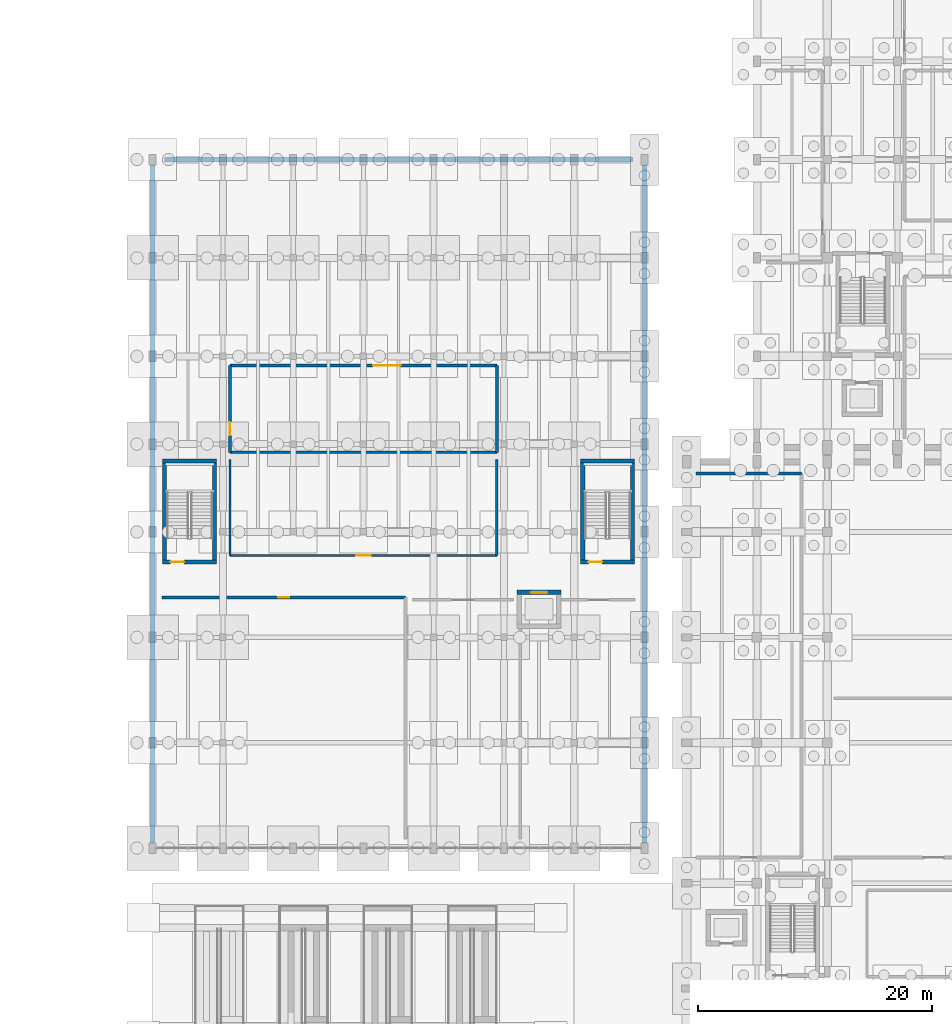
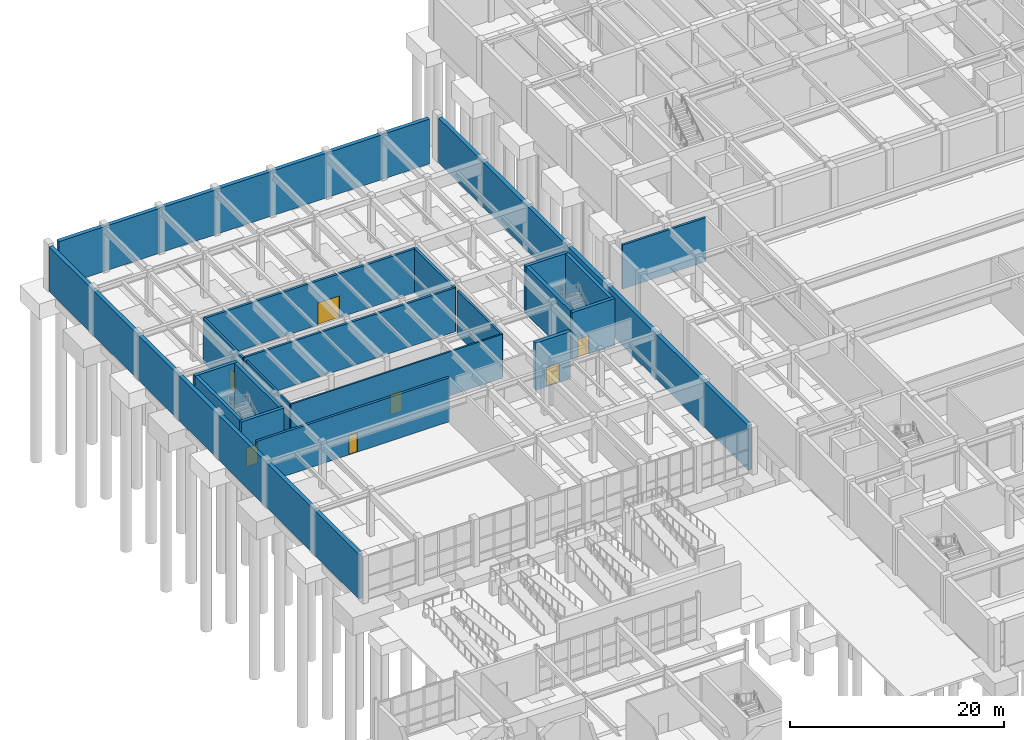
# One storey, part 51 of 69: 21 walls, 7 doors, 7 openings.
"""IFC4 building model written with IfcOpenShell, lengths in metres."""

from ifc_helpers import new_model, si_unit, direction, frame, frame_2d, origin, place, context, subcontext, project, spatial, rectangle, extrude, material, layer, layer_set, type_object, element, fill, save


model = new_model("IFC4")

# Units and contexts
model_context = context("Model", 3, precision=1e-05, world=origin(), true_north=direction((0.0, 1.0)))
body_context = subcontext(model_context, "Body", "Model", "MODEL_VIEW")
ifc_project = project(units=[si_unit("LENGTHUNIT", "METRE"), si_unit("AREAUNIT", "SQUARE_METRE"), si_unit("VOLUMEUNIT", "CUBIC_METRE"), si_unit("PLANEANGLEUNIT", "RADIAN"), si_unit("MASSUNIT", "GRAM", prefix="KILO")], contexts=[model_context])

# Site, building, storey
site_placement = place(None, origin())
site = spatial("IfcSite", under=ifc_project, at=site_placement, CompositionType="ELEMENT")
building_placement = place(site_placement, origin())
building = spatial("IfcBuilding", under=site, at=building_placement, Name="Vaelkrest Opera House", CompositionType="ELEMENT")
storey_placement = place(building_placement, frame((0.0, 0.0, -5.39990234375)))
storey = spatial("IfcBuildingStorey", under=building, at=storey_placement, Name="B1", CompositionType="ELEMENT", Elevation=-5.39990234375)

# Wall, opening, door
ifc_material_1 = material(Name="Gypsum acoustic board", Category="gypsum")
ifc_layer_1 = layer(ifc_material_1, 0.179931640625)
ifc_layer_set_1 = layer_set([ifc_layer_1], Name="Gypsum acoustic board")
wall_type_1 = type_object("IfcWallType", Name="PT05", PredefinedType="PARTITIONING", material=ifc_layer_set_1)
wall_1_placement = place(storey_placement, frame((-69.0, 8.199951171875, 0.0), z_axis=(0.0, 0.0, 1.0), x_axis=(1.0, 0.0, 0.0)))
wall_1 = element("IfcWall", 1, at=wall_1_placement, inside=storey, type_object=wall_type_1, Name="Interior partition PT-V3-B1-0271", PredefinedType="PARTITIONING", context=body_context, shape_type="SweptSolid", body=[
    extrude(rectangle(XDim=22.800048828125, YDim=0.179931640625, at=frame_2d((11.39990234375, 0.0))), origin(), (0.0, 0.0, 1.0), 5.02001953125),
])
opening_1_placement = place(wall_1_placement, frame((10.7900390625, 0.0, 0.0)))
opening_1 = element("IfcOpeningElement", 2, at=opening_1_placement, cuts=wall_1, Name="Opening D105", PredefinedType="OPENING", context=body_context, shape_type="SweptSolid", body=[
    extrude(rectangle(XDim=1.219970703125, YDim=2.300048828125, at=frame_2d((0.60986328125, 1.14990234375))), frame((0.0, 0.099853515625, 0.0), z_axis=(0.0, -1.0, 0.0), x_axis=(1.0, 0.0, 0.0)), (0.0, 0.0, 1.0), 0.199951171875),
])
ifc_material_2 = material(Name="American black walnut acoustic timber", Category="wood")
door_type_1 = type_object("IfcDoorType", Name="DT24", OperationType="NOTDEFINED", PredefinedType="DOOR", material=ifc_material_2)
door_1_placement = place(opening_1_placement, origin())
door_1 = element("IfcDoor", 3, at=door_1_placement, inside=storey, type_object=door_type_1, Name="Interior door D105 (Cloakroom)", OperationType="SINGLE_SWING_LEFT", OverallHeight=2.300048828125, OverallWidth=1.219970703125, PredefinedType="DOOR", context=body_context, shape_type="SweptSolid", body=[
    extrude(rectangle(XDim=1.219970703125, YDim=2.300048828125, at=frame_2d((0.60986328125, 1.14990234375))), frame((0.0, 0.02490234375, 0.0), z_axis=(0.0, -1.0, 0.0), x_axis=(1.0, 0.0, 0.0)), (0.0, 0.0, 1.0), 0.050048828125),
])
fill(opening_1, door_1)

# Walls
ifc_layer_2 = layer(ifc_material_1, 0.195068359375)
ifc_layer_set_2 = layer_set([ifc_layer_2], Name="Gypsum acoustic board")
wall_type_2 = type_object("IfcWallType", Name="PT06", PredefinedType="PARTITIONING", material=ifc_layer_set_2)
wall_2_placement = place(storey_placement, frame((-69.0, 8.199951171875, 0.0), z_axis=(0.0, 0.0, 1.0), x_axis=(0.0, 1.0, 0.0)))
element("IfcWall", 4, at=wall_2_placement, inside=storey, type_object=wall_type_2, Name="Interior partition PT-V3-B1-0272", PredefinedType="PARTITIONING", context=body_context, shape_type="SweptSolid", body=[
    extrude(rectangle(XDim=8.199951171875, YDim=0.195068359375, at=frame_2d((4.10009765625, 0.0))), origin(), (0.0, 0.0, 1.0), 5.02001953125),
])
ifc_layer_3 = layer(ifc_material_2, 0.2099609375)
ifc_layer_set_3 = layer_set([ifc_layer_3], Name="American black walnut acoustic timber")
wall_type_3 = type_object("IfcWallType", Name="PT07", PredefinedType="PARTITIONING", material=ifc_layer_set_3)
wall_3_placement = place(storey_placement, frame((-46.199951171875, 8.199951171875, 0.0), z_axis=(0.0, 0.0, 1.0), x_axis=(0.0, 1.0, 0.0)))
element("IfcWall", 5, at=wall_3_placement, inside=storey, type_object=wall_type_3, Name="Interior partition PT-V3-B1-0273", PredefinedType="PARTITIONING", context=body_context, shape_type="SweptSolid", body=[
    extrude(rectangle(XDim=8.199951171875, YDim=0.2099609375, at=frame_2d((4.10009765625, 0.0))), origin(), (0.0, 0.0, 1.0), 5.02001953125),
])
ifc_material_3 = material(Name="Concrete C40/50", Category="concrete")
ifc_layer_4 = layer(ifc_material_3, 0.239990234375)
ifc_layer_set_4 = layer_set([ifc_layer_4], Name="Concrete C40/50")
wall_type_4 = type_object("IfcWallType", Name="PT09", PredefinedType="PARTITIONING", material=ifc_layer_set_4)
wall_4_placement = place(storey_placement, frame((-29.199951171875, 15.199951171875, 0.0), z_axis=(0.0, 0.0, 1.0), x_axis=(1.0, 0.0, 0.0)))
element("IfcWall", 6, at=wall_4_placement, inside=storey, type_object=wall_type_4, Name="Interior partition PT-V1-B1-0021", PredefinedType="PARTITIONING", context=body_context, shape_type="SweptSolid", body=[
    extrude(rectangle(XDim=9.0, YDim=0.239990234375, at=frame_2d((4.5, 0.0))), origin(), (0.0, 0.0, 1.0), 5.02001953125),
])
wall_5_placement = place(storey_placement, frame((-69.0, 17.0, 0.0), z_axis=(0.0, 0.0, 1.0), x_axis=(1.0, 0.0, 0.0)))
element("IfcWall", 7, at=wall_5_placement, inside=storey, type_object=wall_type_4, Name="Interior partition PT-V3-B1-0267", PredefinedType="PARTITIONING", context=body_context, shape_type="SweptSolid", body=[
    extrude(rectangle(XDim=22.800048828125, YDim=0.239990234375, at=frame_2d((11.39990234375, 0.0))), origin(), (0.0, 0.0, 1.0), 5.02001953125),
])

# Wall, opening, door
wall_6_placement = place(storey_placement, frame((-69.0, 17.0, 0.0), z_axis=(0.0, 0.0, 1.0), x_axis=(0.0, 1.0, 0.0)))
wall_6 = element("IfcWall", 8, at=wall_6_placement, inside=storey, type_object=wall_type_4, Name="Interior partition PT-V3-B1-0269", PredefinedType="PARTITIONING", context=body_context, shape_type="SweptSolid", body=[
    extrude(rectangle(XDim=7.39990234375, YDim=0.239990234375, at=frame_2d((3.699951171875, 0.0))), origin(), (0.0, 0.0, 1.0), 5.02001953125),
])
opening_2_placement = place(wall_6_placement, frame((1.449951171875, 0.0, 0.0)))
opening_2 = element("IfcOpeningElement", 9, at=opening_2_placement, cuts=wall_6, Name="Opening D104", PredefinedType="OPENING", context=body_context, shape_type="SweptSolid", body=[
    extrude(rectangle(XDim=1.1201171875, YDim=2.25, at=frame_2d((0.56005859375, 1.125))), frame((0.0, 0.1298828125, 0.0), z_axis=(0.0, -1.0, 0.0), x_axis=(1.0, 0.0, 0.0)), (0.0, 0.0, 1.0), 0.260009765625),
])
door_type_2 = type_object("IfcDoorType", Name="DT23", OperationType="NOTDEFINED", PredefinedType="DOOR", material=ifc_material_2)
door_2_placement = place(opening_2_placement, origin())
door_2 = element("IfcDoor", 10, at=door_2_placement, inside=storey, type_object=door_type_2, Name="Interior door D104 (MEP Plant Room)", OperationType="SINGLE_SWING_RIGHT", OverallHeight=2.25, OverallWidth=1.1201171875, PredefinedType="DOOR", context=body_context, shape_type="SweptSolid", body=[
    extrude(rectangle(XDim=1.1201171875, YDim=2.25, at=frame_2d((0.56005859375, 1.125))), frame((0.0, 0.02490234375, 0.0), z_axis=(0.0, -1.0, 0.0), x_axis=(1.0, 0.0, 0.0)), (0.0, 0.0, 1.0), 0.050048828125),
])
fill(opening_2, door_2)

ifc_layer_5 = layer(ifc_material_3, 0.260009765625)
ifc_layer_set_5 = layer_set([ifc_layer_5], Name="Concrete C40/50")
wall_type_5 = type_object("IfcWallType", Name="PT10", PredefinedType="PARTITIONING", material=ifc_layer_set_5)
wall_7_placement = place(storey_placement, frame((-74.800048828125, 4.60009765625, 0.0), z_axis=(0.0, 0.0, 1.0), x_axis=(1.0, 0.0, 0.0)))
wall_7 = element("IfcWall", 11, at=wall_7_placement, inside=storey, type_object=wall_type_5, Name="Interior partition PT-V3-B1-0264", PredefinedType="PARTITIONING", context=body_context, shape_type="SweptSolid", body=[
    extrude(rectangle(XDim=20.800048828125, YDim=0.260009765625, at=frame_2d((10.39990234375, 0.0))), origin(), (0.0, 0.0, 1.0), 5.02001953125),
])
opening_3_placement = place(wall_7_placement, frame((9.919921875, 0.0, 0.0)))
opening_3 = element("IfcOpeningElement", 12, at=opening_3_placement, cuts=wall_7, Name="Opening D102", PredefinedType="OPENING", context=body_context, shape_type="SweptSolid", body=[
    extrude(rectangle(XDim=0.9599609375, YDim=2.199951171875, at=frame_2d((0.47998046875, 1.10009765625))), frame((0.0, 0.139892578125, 0.0), z_axis=(0.0, -1.0, 0.0), x_axis=(1.0, 0.0, 0.0)), (0.0, 0.0, 1.0), 0.280029296875),
])
door_type_3 = type_object("IfcDoorType", Name="DT21", OperationType="NOTDEFINED", PredefinedType="DOOR", material=ifc_material_2)
door_3_placement = place(opening_3_placement, origin())
door_3 = element("IfcDoor", 13, at=door_3_placement, inside=storey, type_object=door_type_3, Name="Interior door D102 (Instrument Store)", OperationType="SINGLE_SWING_LEFT", OverallHeight=2.199951171875, OverallWidth=0.9599609375, PredefinedType="DOOR", context=body_context, shape_type="SweptSolid", body=[
    extrude(rectangle(XDim=0.9599609375, YDim=2.199951171875, at=frame_2d((0.47998046875, 1.10009765625))), frame((0.0, 0.02490234375, 0.0), z_axis=(0.0, -1.0, 0.0), x_axis=(1.0, 0.0, 0.0)), (0.0, 0.0, 1.0), 0.050048828125),
])
fill(opening_3, door_3)

wall_8_placement = place(storey_placement, frame((-69.0, 24.39990234375, 0.0), z_axis=(0.0, 0.0, 1.0), x_axis=(1.0, 0.0, 0.0)))
wall_8 = element("IfcWall", 14, at=wall_8_placement, inside=storey, type_object=wall_type_5, Name="Interior partition PT-V3-B1-0268", PredefinedType="PARTITIONING", context=body_context, shape_type="SweptSolid", body=[
    extrude(rectangle(XDim=22.800048828125, YDim=0.260009765625, at=frame_2d((11.39990234375, 0.0))), origin(), (0.0, 0.0, 1.0), 5.02001953125),
])
opening_4_placement = place(wall_8_placement, frame((12.22509765625, 0.0, 0.0)))
opening_4 = element("IfcOpeningElement", 15, at=opening_4_placement, cuts=wall_8, Name="Opening D106", PredefinedType="OPENING", context=body_context, shape_type="SweptSolid", body=[
    extrude(rectangle(XDim=2.35009765625, YDim=2.5, at=frame_2d((1.175048828125, 1.25))), frame((0.0, 0.139892578125, 0.0), z_axis=(0.0, -1.0, 0.0), x_axis=(1.0, 0.0, 0.0)), (0.0, 0.0, 1.0), 0.280029296875),
])
door_type_4 = type_object("IfcDoorType", Name="DT18", OperationType="DOUBLE_DOOR_SINGLE_SWING", PredefinedType="DOOR", material=ifc_material_2)
door_4_placement = place(opening_4_placement, origin())
door_4 = element("IfcDoor", 16, at=door_4_placement, inside=storey, type_object=door_type_4, Name="Interior door D106 (Orchestra Rehearsal Stage)", OperationType="DOUBLE_DOOR_SINGLE_SWING", OverallHeight=2.5, OverallWidth=2.35009765625, PredefinedType="DOOR", context=body_context, shape_type="SweptSolid", body=[
    extrude(rectangle(XDim=2.35009765625, YDim=2.5, at=frame_2d((1.175048828125, 1.25))), frame((0.0, 0.02490234375, 0.0), z_axis=(0.0, -1.0, 0.0), x_axis=(1.0, 0.0, 0.0)), (0.0, 0.0, 1.0), 0.050048828125),
])
fill(opening_4, door_4)

# Walls
wall_9_placement = place(storey_placement, frame((-46.199951171875, 17.0, 0.0), z_axis=(0.0, 0.0, 1.0), x_axis=(0.0, 1.0, 0.0)))
element("IfcWall", 17, at=wall_9_placement, inside=storey, type_object=wall_type_5, Name="Interior partition PT-V3-B1-0270", PredefinedType="PARTITIONING", context=body_context, shape_type="SweptSolid", body=[
    extrude(rectangle(XDim=7.39990234375, YDim=0.260009765625, at=frame_2d((3.699951171875, 0.0))), origin(), (0.0, 0.0, 1.0), 5.02001953125),
])
ifc_layer_6 = layer(ifc_material_3, 0.419921875)
ifc_layer_set_6 = layer_set([ifc_layer_6], Name="Concrete C40/50")
wall_type_6 = type_object("IfcWallType", Name="RW01", PredefinedType="USERDEFINED", material=ifc_layer_set_6)
for number, where, z_axis, x_axis, name in (
    (18, (-75.60009765625, -16.35009765625, 0.0), (0.0, 0.0, 1.0), (0.0, 1.0, 0.0), "Retaining wall RW-V3-W"),
    (19, (-33.60009765625, -16.35009765625, 0.0), (0.0, 0.0, 1.0), (0.0, 1.0, 0.0), "Retaining wall RW-V3-E"),
):
    element("IfcWall", number, at=place(storey_placement, frame(where, z_axis=z_axis, x_axis=x_axis)), inside=storey, type_object=wall_type_6, Name=name, ObjectType="RETAINING WALL", PredefinedType="USERDEFINED", context=body_context, shape_type="SweptSolid", body=[
        extrude(rectangle(XDim=57.900146484375, YDim=0.419921875, at=frame_2d((28.9501953125, 0.0))), origin(), (0.0, 0.0, 1.0), 5.10986328125),
    ])
wall_10_placement = place(storey_placement, frame((-74.60009765625, 42.0, 0.0), z_axis=(0.0, 0.0, 1.0), x_axis=(1.0, 0.0, 0.0)))
element("IfcWall", 20, at=wall_10_placement, inside=storey, type_object=wall_type_6, Name="Retaining wall RW-V3-N", ObjectType="RETAINING WALL", PredefinedType="USERDEFINED", context=body_context, shape_type="SweptSolid", body=[
    extrude(rectangle(XDim=40.0, YDim=0.419921875, at=frame_2d((20.0, 0.0))), origin(), (0.0, 0.0, 1.0), 5.10986328125),
])

# Wall, opening, door
ifc_material_4 = material(Name="Concrete C50/60", Category="concrete")
ifc_layer_7 = layer(ifc_material_4, 0.35009765625)
ifc_layer_set_7 = layer_set([ifc_layer_7], Name="Concrete C50/60")
wall_type_7 = type_object("IfcWallType", Name="SW01", PredefinedType="SHEAR", material=ifc_layer_set_7)
wall_11_placement = place(storey_placement, frame((-70.14990234375, 7.625, 0.0), z_axis=(0.0, 0.0, 1.0), x_axis=(-1.0, 0.0, 0.0)))
wall_11 = element("IfcWall", 21, at=wall_11_placement, inside=storey, type_object=wall_type_7, Name="Stair core ST07 wall B1 S", PredefinedType="SHEAR", context=body_context, shape_type="SweptSolid", body=[
    extrude(rectangle(XDim=4.60009765625, YDim=0.35009765625, at=frame_2d((2.300048828125, 0.0))), origin(), (0.0, 0.0, 1.0), 5.39990234375),
])
opening_5_placement = place(wall_11_placement, frame((2.77001953125, 0.0, 0.0)))
opening_5 = element("IfcOpeningElement", 22, at=opening_5_placement, cuts=wall_11, Name="Opening SD-ST07-B1", PredefinedType="OPENING", context=body_context, shape_type="SweptSolid", body=[
    extrude(rectangle(XDim=1.179931640625, YDim=2.14990234375, at=frame_2d((0.58984375, 1.074951171875))), frame((0.0, 0.18505859375, 0.0), z_axis=(0.0, -1.0, 0.0), x_axis=(1.0, 0.0, 0.0)), (0.0, 0.0, 1.0), 0.3701171875),
])
door_type_5 = type_object("IfcDoorType", Name="DT07", OperationType="NOTDEFINED", PredefinedType="DOOR", material=ifc_material_2)
door_5_placement = place(opening_5_placement, origin())
door_5 = element("IfcDoor", 23, at=door_5_placement, inside=storey, type_object=door_type_5, Name="Protected stair door SD-ST07-B1", OperationType="SINGLE_SWING_RIGHT", OverallHeight=2.14990234375, OverallWidth=1.179931640625, PredefinedType="DOOR", context=body_context, shape_type="SweptSolid", body=[
    extrude(rectangle(XDim=1.179931640625, YDim=2.14990234375, at=frame_2d((0.58984375, 1.074951171875))), frame((0.0, 0.02490234375, 0.0), z_axis=(0.0, -1.0, 0.0), x_axis=(1.0, 0.0, 0.0)), (0.0, 0.0, 1.0), 0.050048828125),
])
fill(opening_5, door_5)

# Walls
wall_12_placement = place(storey_placement, frame((-74.574951171875, 7.800048828125, 0.0), z_axis=(0.0, 0.0, 1.0), x_axis=(0.0, 1.0, 0.0)))
element("IfcWall", 24, at=wall_12_placement, inside=storey, type_object=wall_type_7, Name="Stair core ST07 wall B1 W", PredefinedType="SHEAR", context=body_context, shape_type="SweptSolid", body=[
    extrude(rectangle(XDim=8.300048828125, YDim=0.35009765625, at=frame_2d((4.14990234375, 0.0))), origin(), (0.0, 0.0, 1.0), 5.39990234375),
])
wall_13_placement = place(storey_placement, frame((-74.75, 16.27490234375, 0.0), z_axis=(0.0, 0.0, 1.0), x_axis=(1.0, 0.0, 0.0)))
element("IfcWall", 25, at=wall_13_placement, inside=storey, type_object=wall_type_7, Name="Stair core ST07 wall B1 N", PredefinedType="SHEAR", context=body_context, shape_type="SweptSolid", body=[
    extrude(rectangle(XDim=4.60009765625, YDim=0.35009765625, at=frame_2d((2.300048828125, 0.0))), origin(), (0.0, 0.0, 1.0), 5.39990234375),
])
wall_14_placement = place(storey_placement, frame((-70.324951171875, 16.10009765625, 0.0), z_axis=(0.0, 0.0, 1.0), x_axis=(0.0, -1.0, 0.0)))
element("IfcWall", 26, at=wall_14_placement, inside=storey, type_object=wall_type_7, Name="Stair core ST07 wall B1 E", PredefinedType="SHEAR", context=body_context, shape_type="SweptSolid", body=[
    extrude(rectangle(XDim=8.300048828125, YDim=0.35009765625, at=frame_2d((4.14990234375, 0.0))), origin(), (0.0, 0.0, 1.0), 5.39990234375),
])

# Wall, opening, door
wall_15_placement = place(storey_placement, frame((-34.449951171875, 7.625, 0.0), z_axis=(0.0, 0.0, 1.0), x_axis=(-1.0, 0.0, 0.0)))
wall_15 = element("IfcWall", 27, at=wall_15_placement, inside=storey, type_object=wall_type_7, Name="Stair core ST08 wall B1 S", PredefinedType="SHEAR", context=body_context, shape_type="SweptSolid", body=[
    extrude(rectangle(XDim=4.60009765625, YDim=0.35009765625, at=frame_2d((2.300048828125, 0.0))), origin(), (0.0, 0.0, 1.0), 5.39990234375),
])
opening_6_placement = place(wall_15_placement, frame((2.77001953125, 0.0, 0.0)))
opening_6 = element("IfcOpeningElement", 28, at=opening_6_placement, cuts=wall_15, Name="Opening SD-ST08-B1", PredefinedType="OPENING", context=body_context, shape_type="SweptSolid", body=[
    extrude(rectangle(XDim=1.179931640625, YDim=2.14990234375, at=frame_2d((0.58984375, 1.074951171875))), frame((0.0, 0.18505859375, 0.0), z_axis=(0.0, -1.0, 0.0), x_axis=(1.0, 0.0, 0.0)), (0.0, 0.0, 1.0), 0.3701171875),
])
door_6_placement = place(opening_6_placement, origin())
door_6 = element("IfcDoor", 29, at=door_6_placement, inside=storey, type_object=door_type_5, Name="Protected stair door SD-ST08-B1", OperationType="SINGLE_SWING_RIGHT", OverallHeight=2.14990234375, OverallWidth=1.179931640625, PredefinedType="DOOR", context=body_context, shape_type="SweptSolid", body=[
    extrude(rectangle(XDim=1.179931640625, YDim=2.14990234375, at=frame_2d((0.58984375, 1.074951171875))), frame((0.0, 0.02490234375, 0.0), z_axis=(0.0, -1.0, 0.0), x_axis=(1.0, 0.0, 0.0)), (0.0, 0.0, 1.0), 0.050048828125),
])
fill(opening_6, door_6)

# Walls
wall_16_placement = place(storey_placement, frame((-38.875, 7.800048828125, 0.0), z_axis=(0.0, 0.0, 1.0), x_axis=(0.0, 1.0, 0.0)))
element("IfcWall", 30, at=wall_16_placement, inside=storey, type_object=wall_type_7, Name="Stair core ST08 wall B1 W", PredefinedType="SHEAR", context=body_context, shape_type="SweptSolid", body=[
    extrude(rectangle(XDim=8.300048828125, YDim=0.35009765625, at=frame_2d((4.14990234375, 0.0))), origin(), (0.0, 0.0, 1.0), 5.39990234375),
])
wall_17_placement = place(storey_placement, frame((-39.050048828125, 16.27490234375, 0.0), z_axis=(0.0, 0.0, 1.0), x_axis=(1.0, 0.0, 0.0)))
element("IfcWall", 31, at=wall_17_placement, inside=storey, type_object=wall_type_7, Name="Stair core ST08 wall B1 N", PredefinedType="SHEAR", context=body_context, shape_type="SweptSolid", body=[
    extrude(rectangle(XDim=4.60009765625, YDim=0.35009765625, at=frame_2d((2.300048828125, 0.0))), origin(), (0.0, 0.0, 1.0), 5.39990234375),
])
wall_18_placement = place(storey_placement, frame((-34.625, 16.10009765625, 0.0), z_axis=(0.0, 0.0, 1.0), x_axis=(0.0, -1.0, 0.0)))
element("IfcWall", 32, at=wall_18_placement, inside=storey, type_object=wall_type_7, Name="Stair core ST08 wall B1 E", PredefinedType="SHEAR", context=body_context, shape_type="SweptSolid", body=[
    extrude(rectangle(XDim=8.300048828125, YDim=0.35009765625, at=frame_2d((4.14990234375, 0.0))), origin(), (0.0, 0.0, 1.0), 5.39990234375),
])

# Wall, opening, door
ifc_layer_8 = layer(ifc_material_4, 0.389892578125)
ifc_layer_set_8 = layer_set([ifc_layer_8], Name="Concrete C50/60")
wall_type_8 = type_object("IfcWallType", Name="SW02", PredefinedType="SHEAR", material=ifc_layer_set_8)
wall_19_placement = place(storey_placement, frame((-44.489990234375, 5.044921875, 0.0), z_axis=(0.0, 0.0, 1.0), x_axis=(1.0, 0.0, 0.0)))
wall_19 = element("IfcWall", 33, at=wall_19_placement, inside=storey, type_object=wall_type_8, Name="Lift shaft LP05 wall B1 N", PredefinedType="SHEAR", context=body_context, shape_type="SweptSolid", body=[
    extrude(rectangle(XDim=3.780029296875, YDim=0.389892578125, at=frame_2d((1.89013671875, 0.0))), origin(), (0.0, 0.0, 1.0), 5.39990234375),
])
opening_7_placement = place(wall_19_placement, frame((1.18994140625, 0.0, 0.0)))
opening_7 = element("IfcOpeningElement", 34, at=opening_7_placement, cuts=wall_19, Name="Opening LD-LP05-B1", PredefinedType="OPENING", context=body_context, shape_type="SweptSolid", body=[
    extrude(rectangle(XDim=1.39990234375, YDim=2.199951171875, at=frame_2d((0.699951171875, 1.10009765625))), frame((0.0, 0.204833984375, 0.0), z_axis=(0.0, -1.0, 0.0), x_axis=(1.0, 0.0, 0.0)), (0.0, 0.0, 1.0), 0.409912109375),
])
ifc_material_5 = material(Name="Dark bronze anodized aluminium", Category="aluminium")
door_type_6 = type_object("IfcDoorType", Name="LDT02", OperationType="SLIDING_TO_LEFT", PredefinedType="DOOR", material=ifc_material_5)
door_7_placement = place(opening_7_placement, origin())
door_7 = element("IfcDoor", 35, at=door_7_placement, inside=storey, type_object=door_type_6, Name="Lift landing sliding door LD-LP05-B1", OperationType="SLIDING_TO_LEFT", OverallHeight=2.199951171875, OverallWidth=1.39990234375, PredefinedType="DOOR", context=body_context, shape_type="SweptSolid", body=[
    extrude(rectangle(XDim=1.39990234375, YDim=2.199951171875, at=frame_2d((0.699951171875, 1.10009765625))), frame((0.0, 0.02490234375, 0.0), z_axis=(0.0, -1.0, 0.0), x_axis=(1.0, 0.0, 0.0)), (0.0, 0.0, 1.0), 0.050048828125),
])
fill(opening_7, door_7)

save(model, "model.ifc")
